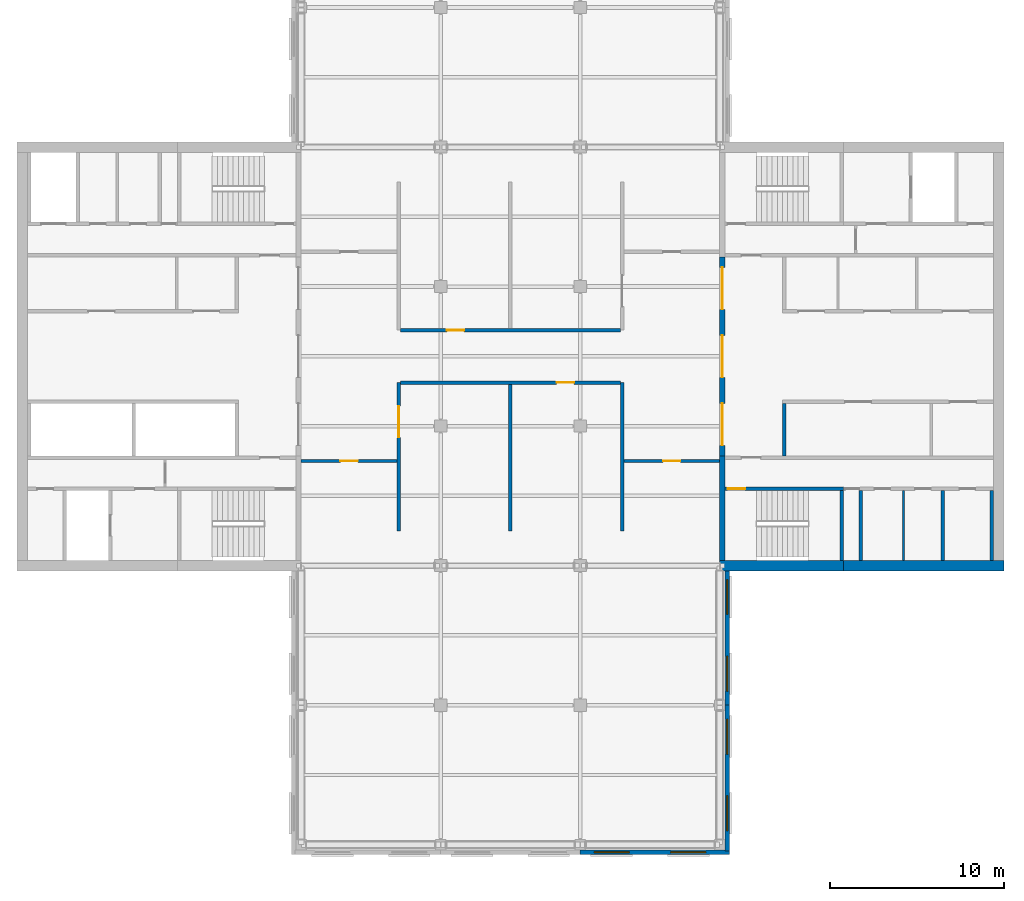
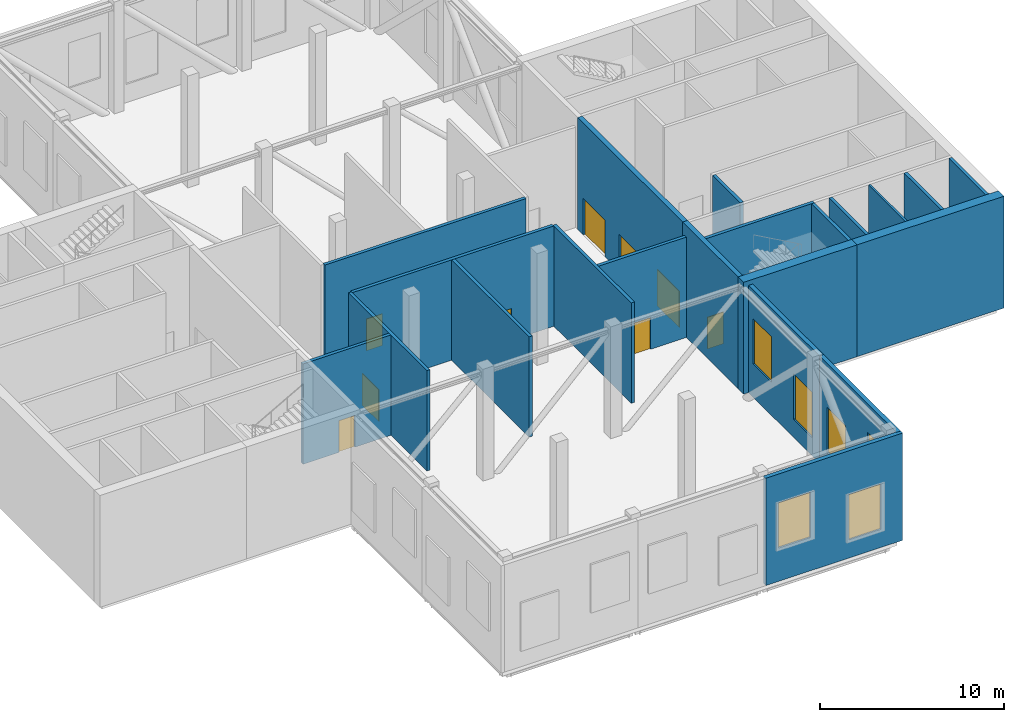
# One storey, part 4 of 10: 21 walls, 9 doors, 6 windows, 15 openings.
"""IFC4 building model written with IfcOpenShell, lengths in metres."""

from ifc_helpers import new_model, si_unit, direction, frame, frame_2d, origin, place, context, subcontext, project, spatial, rectangle, extrude, material, layer, layer_set, constituent, constituent_set, type_object, element, fill, save


model = new_model("IFC4")

# Units and contexts
model_context = context("Model", 3, precision=1e-05, world=origin(), true_north=direction((0.0, 1.0)))
body_context = subcontext(model_context, "Body", "Model", "MODEL_VIEW")
ifc_project = project(units=[si_unit("LENGTHUNIT", "METRE"), si_unit("AREAUNIT", "SQUARE_METRE"), si_unit("VOLUMEUNIT", "CUBIC_METRE"), si_unit("PLANEANGLEUNIT", "RADIAN"), si_unit("MASSUNIT", "GRAM", prefix="KILO")], contexts=[model_context])

# Site, building, storey
site_placement = place(None, origin())
site = spatial("IfcSite", under=ifc_project, at=site_placement, CompositionType="ELEMENT")
building_placement = place(site_placement, origin())
building = spatial("IfcBuilding", under=site, at=building_placement, Name="Crosswind Convention Tower", CompositionType="ELEMENT")
storey_placement = place(building_placement, frame((0.0, 0.0, 237.699951171875)))
storey = spatial("IfcBuildingStorey", under=building, at=storey_placement, Name="L51", CompositionType="ELEMENT", Elevation=237.699951171875)

# Wall
ifc_material_1 = material(Name="Concrete blockwork", Category="masonry")
ifc_layer_1 = layer(ifc_material_1, 0.199951171875)
ifc_layer_set_1 = layer_set([ifc_layer_1], Name="Blockwork partition wall 200")
wall_type_1 = type_object("IfcWallType", Name="Blockwork partition wall 200", PredefinedType="PARTITIONING", material=ifc_layer_set_1)
wall_1_placement = place(storey_placement, frame((145.10009765625, 88.300048828125, 0.0), z_axis=(0.0, 0.0, 1.0), x_axis=(0.0, 1.0, 0.0)))
element("IfcWall", 1, at=wall_1_placement, inside=storey, type_object=wall_type_1, Name="Wall MRSE E L51", PredefinedType="PARTITIONING", context=body_context, shape_type="SweptSolid", body=[
    extrude(rectangle(XDim=4.0, YDim=0.199951171875, at=frame_2d((2.0, 0.0))), origin(), (0.0, 0.0, 1.0), 7.400146484375),
])

# Wall, opening, door
ifc_layer_2 = layer(ifc_material_1, 0.199951171875)
ifc_layer_set_2 = layer_set([ifc_layer_2], Name="COMPARTMENT WALL 200 BLOCKWORK")
wall_type_2 = type_object("IfcWallType", Name="COMPARTMENT WALL 200 BLOCKWORK", PredefinedType="SOLIDWALL", material=ifc_layer_set_2)
wall_2_placement = place(storey_placement, frame((118.60009765625, 90.0, 0.0), z_axis=(0.0, 0.0, 1.0), x_axis=(0.0, 1.0, 0.0)))
wall_2 = element("IfcWall", 2, at=wall_2_placement, inside=storey, type_object=wall_type_2, Name="Compartment wall WT42", PredefinedType="SOLIDWALL", context=body_context, shape_type="SweptSolid", body=[
    extrude(rectangle(XDim=8.5, YDim=0.199951171875, at=frame_2d((4.25, 0.0))), origin(), (0.0, 0.0, 1.0), 6.642822265625),
])
opening_1_placement = place(wall_2_placement, frame((5.35009765625, 0.0, 0.0)))
opening_1 = element("IfcOpeningElement", 3, at=opening_1_placement, cuts=wall_2, Name="Opening L51-56", PredefinedType="OPENING", context=body_context, shape_type="SweptSolid", body=[
    extrude(rectangle(XDim=1.800048828125, YDim=2.10009765625, at=frame_2d((0.89990234375, 1.050048828125))), frame((0.0, 0.10986328125, 0.0), z_axis=(0.0, -1.0, 0.0), x_axis=(1.0, 0.0, 0.0)), (0.0, 0.0, 1.0), 0.219970703125),
])
ifc_material_2 = material(Name="Steel fire door", Category="steel")
door_type_1 = type_object("IfcDoorType", Name="REFUGE AREA DOUBLE DOOR 1800X2100 FD60S", OperationType="DOUBLE_DOOR_SINGLE_SWING", PredefinedType="DOOR", material=ifc_material_2)
door_1_placement = place(opening_1_placement, frame((1.800048828125, 0.0, 0.0), z_axis=(0.0, 0.0, 1.0), x_axis=(-1.0, 0.0, 0.0)))
door_1 = element("IfcDoor", 4, at=door_1_placement, inside=storey, type_object=door_type_1, Name="Door L51-56", ObjectType="D47", OperationType="DOUBLE_DOOR_SINGLE_SWING", OverallHeight=2.10009765625, OverallWidth=1.800048828125, PredefinedType="DOOR", context=body_context, shape_type="SweptSolid", body=[
    extrude(rectangle(XDim=1.800048828125, YDim=2.10009765625, at=frame_2d((0.89990234375, 1.050048828125))), frame((0.0, 0.02490234375, 0.0), z_axis=(0.0, -1.0, 0.0), x_axis=(1.0, 0.0, 0.0)), (0.0, 0.0, 1.0), 0.050048828125),
])
fill(opening_1, door_1)

# Walls
wall_3_placement = place(storey_placement, frame((125.0, 90.0, 0.0), z_axis=(0.0, 0.0, 1.0), x_axis=(0.0, 1.0, 0.0)))
element("IfcWall", 5, at=wall_3_placement, inside=storey, type_object=wall_type_2, Name="Compartment wall WT42", PredefinedType="SOLIDWALL", context=body_context, shape_type="SweptSolid", body=[
    extrude(rectangle(XDim=8.39990234375, YDim=0.199951171875, at=frame_2d((4.199951171875, 0.0))), origin(), (0.0, 0.0, 1.0), 6.642822265625),
])
wall_4_placement = place(storey_placement, frame((131.39990234375, 90.0, 0.0), z_axis=(0.0, 0.0, 1.0), x_axis=(0.0, 1.0, 0.0)))
element("IfcWall", 6, at=wall_4_placement, inside=storey, type_object=wall_type_2, Name="Compartment wall WT42", PredefinedType="SOLIDWALL", context=body_context, shape_type="SweptSolid", body=[
    extrude(rectangle(XDim=8.5, YDim=0.199951171875, at=frame_2d((4.25, 0.0))), origin(), (0.0, 0.0, 1.0), 6.642822265625),
])

# Wall, opening, door
wall_5_placement = place(storey_placement, frame((113.0, 94.0, 0.0), z_axis=(0.0, 0.0, 1.0), x_axis=(1.0, 0.0, 0.0)))
wall_5 = element("IfcWall", 7, at=wall_5_placement, inside=storey, type_object=wall_type_2, Name="Compartment wall WT42", PredefinedType="SOLIDWALL", context=body_context, shape_type="SweptSolid", body=[
    extrude(rectangle(XDim=5.5, YDim=0.199951171875, at=frame_2d((2.75, 0.0))), origin(), (0.0, 0.0, 1.0), 6.642822265625),
])
opening_2_placement = place(wall_5_placement, frame((2.25, 0.0, 0.0)))
opening_2 = element("IfcOpeningElement", 8, at=opening_2_placement, cuts=wall_5, Name="Opening L51-52", PredefinedType="OPENING", context=body_context, shape_type="SweptSolid", body=[
    extrude(rectangle(XDim=1.0, YDim=2.10009765625, at=frame_2d((0.5, 1.050048828125))), frame((0.0, 0.10986328125, 0.0), z_axis=(0.0, -1.0, 0.0), x_axis=(1.0, 0.0, 0.0)), (0.0, 0.0, 1.0), 0.219970703125),
])
door_type_2 = type_object("IfcDoorType", Name="PLANT ROOM DOOR 1000X2100 FD60", OperationType="NOTDEFINED", PredefinedType="DOOR", material=ifc_material_2)
door_2_placement = place(opening_2_placement, frame((1.0, 0.0, 0.0), z_axis=(0.0, 0.0, 1.0), x_axis=(-1.0, 0.0, 0.0)))
door_2 = element("IfcDoor", 9, at=door_2_placement, inside=storey, type_object=door_type_2, Name="Door L51-52", ObjectType="D43", OperationType="SINGLE_SWING_LEFT", OverallHeight=2.10009765625, OverallWidth=1.0, PredefinedType="DOOR", context=body_context, shape_type="SweptSolid", body=[
    extrude(rectangle(XDim=1.0, YDim=2.10009765625, at=frame_2d((0.5, 1.050048828125))), frame((0.0, 0.02490234375, 0.0), z_axis=(0.0, -1.0, 0.0), x_axis=(1.0, 0.0, 0.0)), (0.0, 0.0, 1.0), 0.050048828125),
])
fill(opening_2, door_2)

wall_6_placement = place(storey_placement, frame((131.5, 94.0, 0.0), z_axis=(0.0, 0.0, 1.0), x_axis=(1.0, 0.0, 0.0)))
wall_6 = element("IfcWall", 10, at=wall_6_placement, inside=storey, type_object=wall_type_2, Name="Compartment wall WT42", PredefinedType="SOLIDWALL", context=body_context, shape_type="SweptSolid", body=[
    extrude(rectangle(XDim=5.5, YDim=0.199951171875, at=frame_2d((2.75, 0.0))), origin(), (0.0, 0.0, 1.0), 6.642822265625),
])
opening_3_placement = place(wall_6_placement, frame((2.25, 0.0, 0.0)))
opening_3 = element("IfcOpeningElement", 11, at=opening_3_placement, cuts=wall_6, Name="Opening L51-53", PredefinedType="OPENING", context=body_context, shape_type="SweptSolid", body=[
    extrude(rectangle(XDim=1.0, YDim=2.10009765625, at=frame_2d((0.5, 1.050048828125))), frame((0.0, 0.10986328125, 0.0), z_axis=(0.0, -1.0, 0.0), x_axis=(1.0, 0.0, 0.0)), (0.0, 0.0, 1.0), 0.219970703125),
])
door_3_placement = place(opening_3_placement, frame((1.0, 0.0, 0.0), z_axis=(0.0, 0.0, 1.0), x_axis=(-1.0, 0.0, 0.0)))
door_3 = element("IfcDoor", 12, at=door_3_placement, inside=storey, type_object=door_type_2, Name="Door L51-53", ObjectType="D43", OperationType="SINGLE_SWING_LEFT", OverallHeight=2.10009765625, OverallWidth=1.0, PredefinedType="DOOR", context=body_context, shape_type="SweptSolid", body=[
    extrude(rectangle(XDim=1.0, YDim=2.10009765625, at=frame_2d((0.5, 1.050048828125))), frame((0.0, 0.02490234375, 0.0), z_axis=(0.0, -1.0, 0.0), x_axis=(1.0, 0.0, 0.0)), (0.0, 0.0, 1.0), 0.050048828125),
])
fill(opening_3, door_3)

wall_7_placement = place(storey_placement, frame((118.699951171875, 98.5, 0.0), z_axis=(0.0, 0.0, 1.0), x_axis=(1.0, 0.0, 0.0)))
wall_7 = element("IfcWall", 13, at=wall_7_placement, inside=storey, type_object=wall_type_2, Name="Compartment wall WT42", PredefinedType="SOLIDWALL", context=body_context, shape_type="SweptSolid", body=[
    extrude(rectangle(XDim=12.60009765625, YDim=0.199951171875, at=frame_2d((6.300048828125, 0.0))), origin(), (0.0, 0.0, 1.0), 6.642822265625),
])
opening_4_placement = place(wall_7_placement, frame((8.949951171875, 0.0, 0.0)))
opening_4 = element("IfcOpeningElement", 14, at=opening_4_placement, cuts=wall_7, Name="Opening L51-57", PredefinedType="OPENING", context=body_context, shape_type="SweptSolid", body=[
    extrude(rectangle(XDim=1.0, YDim=2.10009765625, at=frame_2d((0.5, 1.050048828125))), frame((0.0, 0.10986328125, 0.0), z_axis=(0.0, -1.0, 0.0), x_axis=(1.0, 0.0, 0.0)), (0.0, 0.0, 1.0), 0.219970703125),
])
door_4_placement = place(opening_4_placement, frame((1.0, 0.0, 0.0), z_axis=(0.0, 0.0, 1.0), x_axis=(-1.0, 0.0, 0.0)))
door_4 = element("IfcDoor", 15, at=door_4_placement, inside=storey, type_object=door_type_2, Name="Door L51-57", ObjectType="D43", OperationType="SINGLE_SWING_RIGHT", OverallHeight=2.10009765625, OverallWidth=1.0, PredefinedType="DOOR", context=body_context, shape_type="SweptSolid", body=[
    extrude(rectangle(XDim=1.0, YDim=2.10009765625, at=frame_2d((0.5, 1.050048828125))), frame((0.0, 0.02490234375, 0.0), z_axis=(0.0, -1.0, 0.0), x_axis=(1.0, 0.0, 0.0)), (0.0, 0.0, 1.0), 0.050048828125),
])
fill(opening_4, door_4)

wall_8_placement = place(storey_placement, frame((118.699951171875, 101.5, 0.0), z_axis=(0.0, 0.0, 1.0), x_axis=(1.0, 0.0, 0.0)))
wall_8 = element("IfcWall", 16, at=wall_8_placement, inside=storey, type_object=wall_type_2, Name="Compartment wall WT42", PredefinedType="SOLIDWALL", context=body_context, shape_type="SweptSolid", body=[
    extrude(rectangle(XDim=12.60009765625, YDim=0.199951171875, at=frame_2d((6.300048828125, 0.0))), origin(), (0.0, 0.0, 1.0), 6.642822265625),
])
opening_5_placement = place(wall_8_placement, frame((2.64990234375, 0.0, 0.0)))
opening_5 = element("IfcOpeningElement", 17, at=opening_5_placement, cuts=wall_8, Name="Opening L51-54", PredefinedType="OPENING", context=body_context, shape_type="SweptSolid", body=[
    extrude(rectangle(XDim=1.0, YDim=2.10009765625, at=frame_2d((0.5, 1.050048828125))), frame((0.0, 0.10986328125, 0.0), z_axis=(0.0, -1.0, 0.0), x_axis=(1.0, 0.0, 0.0)), (0.0, 0.0, 1.0), 0.219970703125),
])
door_5_placement = place(opening_5_placement, origin())
door_5 = element("IfcDoor", 18, at=door_5_placement, inside=storey, type_object=door_type_2, Name="Door L51-54", ObjectType="D43", OperationType="SINGLE_SWING_RIGHT", OverallHeight=2.10009765625, OverallWidth=1.0, PredefinedType="DOOR", context=body_context, shape_type="SweptSolid", body=[
    extrude(rectangle(XDim=1.0, YDim=2.10009765625, at=frame_2d((0.5, 1.050048828125))), frame((0.0, 0.02490234375, 0.0), z_axis=(0.0, -1.0, 0.0), x_axis=(1.0, 0.0, 0.0)), (0.0, 0.0, 1.0), 0.050048828125),
])
fill(opening_5, door_5)

# Wall, openings, doors
ifc_material_3 = material(Name="Concrete C50/60", Category="concrete")
ifc_layer_3 = layer(ifc_material_3, 0.300048828125)
ifc_layer_set_3 = layer_set([ifc_layer_3], Name="Concrete C50/60")
wall_type_3 = type_object("IfcWallType", Name="Concrete inner core wall 300", PredefinedType="SHEAR", material=ifc_layer_set_3)
wall_9_placement = place(storey_placement, frame((137.14990234375, 94.300048828125, 0.0), z_axis=(0.0, 0.0, 1.0), x_axis=(0.0, 1.0, 0.0)))
wall_9 = element("IfcWall", 19, at=wall_9_placement, inside=storey, type_object=wall_type_3, Name="Wall SCR E L51", PredefinedType="SHEAR", context=body_context, shape_type="SweptSolid", body=[
    extrude(rectangle(XDim=11.39990234375, YDim=0.300048828125, at=frame_2d((5.699951171875, 0.0))), origin(), (0.0, 0.0, 1.0), 7.400146484375),
])
opening_6_placement = place(wall_9_placement, frame((0.60009765625, 0.0, 0.0)))
opening_6 = element("IfcOpeningElement", 20, at=opening_6_placement, cuts=wall_9, Name="Opening D100", PredefinedType="OPENING", context=body_context, shape_type="SweptSolid", body=[
    extrude(rectangle(XDim=2.39990234375, YDim=2.39990234375, at=frame_2d((1.199951171875, 1.199951171875))), frame((0.0, 0.159912109375, 0.0), z_axis=(0.0, -1.0, 0.0), x_axis=(1.0, 0.0, 0.0)), (0.0, 0.0, 1.0), 0.320068359375),
])
opening_7_placement = place(wall_9_placement, frame((4.5, 0.0, 0.0)))
opening_7 = element("IfcOpeningElement", 21, at=opening_7_placement, cuts=wall_9, Name="Opening D100", PredefinedType="OPENING", context=body_context, shape_type="SweptSolid", body=[
    extrude(rectangle(XDim=2.39990234375, YDim=2.39990234375, at=frame_2d((1.199951171875, 1.199951171875))), frame((0.0, 0.159912109375, 0.0), z_axis=(0.0, -1.0, 0.0), x_axis=(1.0, 0.0, 0.0)), (0.0, 0.0, 1.0), 0.320068359375),
])
opening_8_placement = place(wall_9_placement, frame((8.39990234375, 0.0, 0.0)))
opening_8 = element("IfcOpeningElement", 22, at=opening_8_placement, cuts=wall_9, Name="Opening D100", PredefinedType="OPENING", context=body_context, shape_type="SweptSolid", body=[
    extrude(rectangle(XDim=2.39990234375, YDim=2.39990234375, at=frame_2d((1.199951171875, 1.199951171875))), frame((0.0, 0.159912109375, 0.0), z_axis=(0.0, -1.0, 0.0), x_axis=(1.0, 0.0, 0.0)), (0.0, 0.0, 1.0), 0.320068359375),
])
ifc_material_4 = material(Name="Steel fire door with glazed vision panels", Category="steel")
door_type_3 = type_object("IfcDoorType", Name="Fire-rated double door 2400x2400", OperationType="DOUBLE_DOOR_SINGLE_SWING", PredefinedType="DOOR", material=ifc_material_4)
door_6_placement = place(opening_6_placement, origin())
door_6 = element("IfcDoor", 23, at=door_6_placement, inside=storey, type_object=door_type_3, Name="Lobby door 1 L51", ObjectType="D100", OperationType="DOUBLE_DOOR_SINGLE_SWING", OverallHeight=2.39990234375, OverallWidth=2.39990234375, PredefinedType="DOOR", context=body_context, shape_type="SweptSolid", body=[
    extrude(rectangle(XDim=2.39990234375, YDim=2.39990234375, at=frame_2d((1.199951171875, 1.199951171875))), frame((0.0, 0.02490234375, 0.0), z_axis=(0.0, -1.0, 0.0), x_axis=(1.0, 0.0, 0.0)), (0.0, 0.0, 1.0), 0.050048828125),
])
fill(opening_6, door_6)
door_7_placement = place(opening_7_placement, origin())
door_7 = element("IfcDoor", 24, at=door_7_placement, inside=storey, type_object=door_type_3, Name="Lobby door 2 L51", ObjectType="D100", OperationType="DOUBLE_DOOR_SINGLE_SWING", OverallHeight=2.39990234375, OverallWidth=2.39990234375, PredefinedType="DOOR", context=body_context, shape_type="SweptSolid", body=[
    extrude(rectangle(XDim=2.39990234375, YDim=2.39990234375, at=frame_2d((1.199951171875, 1.199951171875))), frame((0.0, 0.02490234375, 0.0), z_axis=(0.0, -1.0, 0.0), x_axis=(1.0, 0.0, 0.0)), (0.0, 0.0, 1.0), 0.050048828125),
])
fill(opening_7, door_7)
door_8_placement = place(opening_8_placement, origin())
door_8 = element("IfcDoor", 25, at=door_8_placement, inside=storey, type_object=door_type_3, Name="Lobby door 3 L51", ObjectType="D100", OperationType="DOUBLE_DOOR_SINGLE_SWING", OverallHeight=2.39990234375, OverallWidth=2.39990234375, PredefinedType="DOOR", context=body_context, shape_type="SweptSolid", body=[
    extrude(rectangle(XDim=2.39990234375, YDim=2.39990234375, at=frame_2d((1.199951171875, 1.199951171875))), frame((0.0, 0.02490234375, 0.0), z_axis=(0.0, -1.0, 0.0), x_axis=(1.0, 0.0, 0.0)), (0.0, 0.0, 1.0), 0.050048828125),
])
fill(opening_8, door_8)

# Walls
wall_10_placement = place(storey_placement, frame((137.14990234375, 88.300048828125, 0.0), z_axis=(0.0, 0.0, 1.0), x_axis=(0.0, 1.0, 0.0)))
element("IfcWall", 26, at=wall_10_placement, inside=storey, type_object=wall_type_3, Name="Wall EM E L51", PredefinedType="SHEAR", context=body_context, shape_type="SweptSolid", body=[
    extrude(rectangle(XDim=6.0, YDim=0.300048828125, at=frame_2d((3.0, 0.0))), origin(), (0.0, 0.0, 1.0), 7.400146484375),
])
ifc_layer_4 = layer(ifc_material_3, 0.199951171875)
ifc_layer_set_4 = layer_set([ifc_layer_4], Name="Concrete C50/60")
wall_type_4 = type_object("IfcWallType", Name="Concrete shaft and stair wall 200", PredefinedType="SHEAR", material=ifc_layer_set_4)
wall_11_placement = place(storey_placement, frame((140.699951171875, 94.300048828125, 0.0), z_axis=(0.0, 0.0, 1.0), x_axis=(0.0, 1.0, 0.0)))
element("IfcWall", 27, at=wall_11_placement, inside=storey, type_object=wall_type_4, Name="Wall RMEND E L51", PredefinedType="SHEAR", context=body_context, shape_type="SweptSolid", body=[
    extrude(rectangle(XDim=3.0, YDim=0.199951171875, at=frame_2d((1.5, 0.0))), origin(), (0.0, 0.0, 1.0), 7.400146484375),
])
for number, where, z_axis, x_axis, name in (
    (28, (144.0, 88.300048828125, 0.0), (0.0, 0.0, 1.0), (0.0, 1.0, 0.0), "Wall MSE E L51"),
    (29, (149.800048828125, 88.300048828125, 0.0), (0.0, 0.0, 1.0), (0.0, 1.0, 0.0), "Wall MFSW E L51"),
    (30, (152.60009765625, 88.300048828125, 0.0), (0.0, 0.0, 1.0), (0.0, 1.0, 0.0), "Wall MFSE E L51"),
):
    element("IfcWall", number, at=place(storey_placement, frame(where, z_axis=z_axis, x_axis=x_axis)), inside=storey, type_object=wall_type_4, Name=name, PredefinedType="SHEAR", context=body_context, shape_type="SweptSolid", body=[
        extrude(rectangle(XDim=4.0, YDim=0.199951171875, at=frame_2d((2.0, 0.0))), origin(), (0.0, 0.0, 1.0), 7.400146484375),
    ])

# Wall, opening, door
wall_12_placement = place(storey_placement, frame((137.300048828125, 92.39990234375, 0.0), z_axis=(0.0, 0.0, 1.0), x_axis=(1.0, 0.0, 0.0)))
wall_12 = element("IfcWall", 31, at=wall_12_placement, inside=storey, type_object=wall_type_4, Name="Wall MCW E L51", PredefinedType="SHEAR", context=body_context, shape_type="SweptSolid", body=[
    extrude(rectangle(XDim=6.800048828125, YDim=0.199951171875, at=frame_2d((3.39990234375, 0.0))), origin(), (0.0, 0.0, 1.0), 7.400146484375),
])
opening_9_placement = place(wall_12_placement, frame((0.14990234375, 0.0, 0.0)))
opening_9 = element("IfcOpeningElement", 32, at=opening_9_placement, cuts=wall_12, Name="Opening D103", PredefinedType="OPENING", context=body_context, shape_type="SweptSolid", body=[
    extrude(rectangle(XDim=1.0, YDim=2.10009765625, at=frame_2d((0.5, 1.050048828125))), frame((0.0, 0.10986328125, 0.0), z_axis=(0.0, -1.0, 0.0), x_axis=(1.0, 0.0, 0.0)), (0.0, 0.0, 1.0), 0.219970703125),
])
door_type_4 = type_object("IfcDoorType", Name="Fire-rated single door 1000x2100", OperationType="NOTDEFINED", PredefinedType="DOOR", material=ifc_material_2)
door_9_placement = place(opening_9_placement, frame((1.0, 0.0, 0.0), z_axis=(0.0, 0.0, 1.0), x_axis=(-1.0, 0.0, 0.0)))
door_9 = element("IfcDoor", 33, at=door_9_placement, inside=storey, type_object=door_type_4, Name="Stair ST2 door L51", ObjectType="D103", OperationType="SINGLE_SWING_RIGHT", OverallHeight=2.10009765625, OverallWidth=1.0, PredefinedType="DOOR", context=body_context, shape_type="SweptSolid", body=[
    extrude(rectangle(XDim=1.0, YDim=2.10009765625, at=frame_2d((0.5, 1.050048828125))), frame((0.0, 0.02490234375, 0.0), z_axis=(0.0, -1.0, 0.0), x_axis=(1.0, 0.0, 0.0)), (0.0, 0.0, 1.0), 0.050048828125),
])
fill(opening_9, door_9)

# Wall
ifc_material_5 = material(Name="Gypsum plasterboard partition", Category="gypsum")
ifc_layer_5 = layer(ifc_material_5, 0.125)
ifc_layer_set_5 = layer_set([ifc_layer_5], Name="Drywall partition wall 125")
wall_type_5 = type_object("IfcWallType", Name="Drywall partition wall 125", PredefinedType="PARTITIONING", material=ifc_layer_set_5)
wall_13_placement = place(storey_placement, frame((147.5400390625, 88.300048828125, 0.0), z_axis=(0.0, 0.0, 1.0), x_axis=(0.0, 1.0, 0.0)))
element("IfcWall", 34, at=wall_13_placement, inside=storey, type_object=wall_type_5, Name="Wall MWP1 E L51", PredefinedType="PARTITIONING", context=body_context, shape_type="SweptSolid", body=[
    extrude(rectangle(XDim=4.0, YDim=0.125, at=frame_2d((2.0, 0.0))), origin(), (0.0, 0.0, 1.0), 7.400146484375),
])

# Wall, openings, windows
ifc_material_6 = material(Name="Terracotta rainscreen", Category="ceramic")
ifc_layer_6 = layer(ifc_material_6, 0.02001953125)
ifc_material_7 = material(Name="Mineral wool insulation", Category="insulation")
ifc_layer_7 = layer(ifc_material_7, 0.10009765625)
ifc_material_8 = material(Name="Steel S355", Category="steel")
ifc_layer_8 = layer(ifc_material_8, 0.139892578125)
ifc_layer_set_6 = layer_set([ifc_layer_6, ifc_layer_7, ifc_layer_8], Name="Terracotta rainscreen, Mineral wool insulation, Steel S355")
wall_type_6 = type_object("IfcWallType", Name="TERRACOTTA PLANT WALL 260", PredefinedType="SOLIDWALL", material=ifc_layer_set_6)
wall_14_placement = place(storey_placement, frame((129.0, 71.56494140625, 0.0), z_axis=(0.0, 0.0, 1.0), x_axis=(1.0, 0.0, 0.0)))
wall_14 = element("IfcWall", 35, at=wall_14_placement, inside=storey, type_object=wall_type_6, Name="Plant room wall L51 S-TIP.1-3", PredefinedType="SOLIDWALL", context=body_context, shape_type="SweptSolid", body=[
    extrude(rectangle(XDim=8.56494140625, YDim=0.260009765625, at=frame_2d((4.282470703125, 0.0))), origin(), (0.0, 0.0, 1.0), 7.10009765625),
])
opening_10_placement = place(wall_14_placement, frame((0.800048828125, 0.0, 2.199951171875)))
opening_10 = element("IfcOpeningElement", 36, at=opening_10_placement, cuts=wall_14, Name="Opening W11", PredefinedType="OPENING", context=body_context, shape_type="SweptSolid", body=[
    extrude(rectangle(XDim=2.0, YDim=3.0, at=frame_2d((1.0, 1.5))), frame((0.0, 0.139892578125, 0.0), z_axis=(0.0, -1.0, 0.0), x_axis=(1.0, 0.0, 0.0)), (0.0, 0.0, 1.0), 0.280029296875),
])
opening_11_placement = place(wall_14_placement, frame((5.199951171875, 0.0, 1.199951171875)))
opening_11 = element("IfcOpeningElement", 37, at=opening_11_placement, cuts=wall_14, Name="Opening W11", PredefinedType="OPENING", context=body_context, shape_type="SweptSolid", body=[
    extrude(rectangle(XDim=2.0, YDim=3.0, at=frame_2d((1.0, 1.5))), frame((0.0, 0.139892578125, 0.0), z_axis=(0.0, -1.0, 0.0), x_axis=(1.0, 0.0, 0.0)), (0.0, 0.0, 1.0), 0.280029296875),
])
ifc_material_9 = material(Name="Aluminium louvre", Category="aluminium")
window_type = type_object("IfcWindowType", Name="LOUVRE VENT 2000X3000", PartitioningType="SINGLE_PANEL", PredefinedType="WINDOW", material=ifc_material_9)
window_1_placement = place(opening_10_placement, origin())
window_1 = element("IfcWindow", 38, at=window_1_placement, inside=storey, type_object=window_type, Name="W11 louvre vent L51 S-TIP.1-3.1", ObjectType="W11", OverallHeight=3.0, OverallWidth=2.0, PartitioningType="SINGLE_PANEL", PredefinedType="WINDOW", context=body_context, shape_type="SweptSolid", body=[
    extrude(rectangle(XDim=2.0, YDim=3.0, at=frame_2d((1.0, 1.5))), frame((0.0, 0.030029296875, 0.0), z_axis=(0.0, -1.0, 0.0), x_axis=(1.0, 0.0, 0.0)), (0.0, 0.0, 1.0), 0.06005859375),
])
fill(opening_10, window_1)
window_2_placement = place(opening_11_placement, origin())
window_2 = element("IfcWindow", 39, at=window_2_placement, inside=storey, type_object=window_type, Name="W11 louvre vent L51 S-TIP.1-3.2", ObjectType="W11", OverallHeight=3.0, OverallWidth=2.0, PartitioningType="SINGLE_PANEL", PredefinedType="WINDOW", context=body_context, shape_type="SweptSolid", body=[
    extrude(rectangle(XDim=2.0, YDim=3.0, at=frame_2d((1.0, 1.5))), frame((0.0, 0.030029296875, 0.0), z_axis=(0.0, -1.0, 0.0), x_axis=(1.0, 0.0, 0.0)), (0.0, 0.0, 1.0), 0.06005859375),
])
fill(opening_11, window_2)

wall_15_placement = place(storey_placement, frame((137.43505859375, 71.64990234375, 0.0), z_axis=(0.0, 0.0, 1.0), x_axis=(0.0, 1.0, 0.0)))
wall_15 = element("IfcWall", 40, at=wall_15_placement, inside=storey, type_object=wall_type_6, Name="Plant room wall L51 S-E.1-1", PredefinedType="SOLIDWALL", context=body_context, shape_type="SweptSolid", body=[
    extrude(rectangle(XDim=8.35009765625, YDim=0.260009765625, at=frame_2d((4.175048828125, 0.0))), origin(), (0.0, 0.0, 1.0), 7.10009765625),
])
opening_12_placement = place(wall_15_placement, frame((1.14990234375, 0.0, 2.199951171875)))
opening_12 = element("IfcOpeningElement", 41, at=opening_12_placement, cuts=wall_15, Name="Opening W11", PredefinedType="OPENING", context=body_context, shape_type="SweptSolid", body=[
    extrude(rectangle(XDim=2.0, YDim=3.0, at=frame_2d((1.0, 1.5))), frame((0.0, 0.139892578125, 0.0), z_axis=(0.0, -1.0, 0.0), x_axis=(1.0, 0.0, 0.0)), (0.0, 0.0, 1.0), 0.280029296875),
])
opening_13_placement = place(wall_15_placement, frame((5.550048828125, 0.0, 1.199951171875)))
opening_13 = element("IfcOpeningElement", 42, at=opening_13_placement, cuts=wall_15, Name="Opening W11", PredefinedType="OPENING", context=body_context, shape_type="SweptSolid", body=[
    extrude(rectangle(XDim=2.0, YDim=3.0, at=frame_2d((1.0, 1.5))), frame((0.0, 0.139892578125, 0.0), z_axis=(0.0, -1.0, 0.0), x_axis=(1.0, 0.0, 0.0)), (0.0, 0.0, 1.0), 0.280029296875),
])
window_3_placement = place(opening_12_placement, origin())
window_3 = element("IfcWindow", 43, at=window_3_placement, inside=storey, type_object=window_type, Name="W11 louvre vent L51 S-E.1-1.1", ObjectType="W11", OverallHeight=3.0, OverallWidth=2.0, PartitioningType="SINGLE_PANEL", PredefinedType="WINDOW", context=body_context, shape_type="SweptSolid", body=[
    extrude(rectangle(XDim=2.0, YDim=3.0, at=frame_2d((1.0, 1.5))), frame((0.0, 0.030029296875, 0.0), z_axis=(0.0, -1.0, 0.0), x_axis=(1.0, 0.0, 0.0)), (0.0, 0.0, 1.0), 0.06005859375),
])
fill(opening_12, window_3)
window_4_placement = place(opening_13_placement, origin())
window_4 = element("IfcWindow", 44, at=window_4_placement, inside=storey, type_object=window_type, Name="W11 louvre vent L51 S-E.1-1.2", ObjectType="W11", OverallHeight=3.0, OverallWidth=2.0, PartitioningType="SINGLE_PANEL", PredefinedType="WINDOW", context=body_context, shape_type="SweptSolid", body=[
    extrude(rectangle(XDim=2.0, YDim=3.0, at=frame_2d((1.0, 1.5))), frame((0.0, 0.030029296875, 0.0), z_axis=(0.0, -1.0, 0.0), x_axis=(1.0, 0.0, 0.0)), (0.0, 0.0, 1.0), 0.06005859375),
])
fill(opening_13, window_4)

wall_16_placement = place(storey_placement, frame((137.43505859375, 80.0, 0.0), z_axis=(0.0, 0.0, 1.0), x_axis=(0.0, 1.0, 0.0)))
wall_16 = element("IfcWall", 45, at=wall_16_placement, inside=storey, type_object=wall_type_6, Name="Plant room wall L51 S-E.1-2", PredefinedType="SOLIDWALL", context=body_context, shape_type="SweptSolid", body=[
    extrude(rectangle(XDim=7.699951171875, YDim=0.260009765625, at=frame_2d((3.85009765625, 0.0))), origin(), (0.0, 0.0, 1.0), 7.10009765625),
])
opening_14_placement = place(wall_16_placement, frame((0.800048828125, 0.0, 1.199951171875)))
opening_14 = element("IfcOpeningElement", 46, at=opening_14_placement, cuts=wall_16, Name="Opening W11", PredefinedType="OPENING", context=body_context, shape_type="SweptSolid", body=[
    extrude(rectangle(XDim=2.0, YDim=3.0, at=frame_2d((1.0, 1.5))), frame((0.0, 0.139892578125, 0.0), z_axis=(0.0, -1.0, 0.0), x_axis=(1.0, 0.0, 0.0)), (0.0, 0.0, 1.0), 0.280029296875),
])
opening_15_placement = place(wall_16_placement, frame((5.199951171875, 0.0, 2.199951171875)))
opening_15 = element("IfcOpeningElement", 47, at=opening_15_placement, cuts=wall_16, Name="Opening W11", PredefinedType="OPENING", context=body_context, shape_type="SweptSolid", body=[
    extrude(rectangle(XDim=2.0, YDim=3.0, at=frame_2d((1.0, 1.5))), frame((0.0, 0.139892578125, 0.0), z_axis=(0.0, -1.0, 0.0), x_axis=(1.0, 0.0, 0.0)), (0.0, 0.0, 1.0), 0.280029296875),
])
window_5_placement = place(opening_14_placement, origin())
window_5 = element("IfcWindow", 48, at=window_5_placement, inside=storey, type_object=window_type, Name="W11 louvre vent L51 S-E.1-2.1", ObjectType="W11", OverallHeight=3.0, OverallWidth=2.0, PartitioningType="SINGLE_PANEL", PredefinedType="WINDOW", context=body_context, shape_type="SweptSolid", body=[
    extrude(rectangle(XDim=2.0, YDim=3.0, at=frame_2d((1.0, 1.5))), frame((0.0, 0.030029296875, 0.0), z_axis=(0.0, -1.0, 0.0), x_axis=(1.0, 0.0, 0.0)), (0.0, 0.0, 1.0), 0.06005859375),
])
fill(opening_14, window_5)
window_6_placement = place(opening_15_placement, origin())
window_6 = element("IfcWindow", 49, at=window_6_placement, inside=storey, type_object=window_type, Name="W11 louvre vent L51 S-E.1-2.2", ObjectType="W11", OverallHeight=3.0, OverallWidth=2.0, PartitioningType="SINGLE_PANEL", PredefinedType="WINDOW", context=body_context, shape_type="SweptSolid", body=[
    extrude(rectangle(XDim=2.0, YDim=3.0, at=frame_2d((1.0, 1.5))), frame((0.0, 0.030029296875, 0.0), z_axis=(0.0, -1.0, 0.0), x_axis=(1.0, 0.0, 0.0)), (0.0, 0.0, 1.0), 0.06005859375),
])
fill(opening_15, window_6)

# Walls
ifc_material_10 = material(Name="Concrete C60/75", Category="concrete")
ifc_constituent_1 = constituent(ifc_material_10, Name="Structure")
ifc_constituent_2 = constituent(ifc_material_6, Name="Facing")
ifc_constituent_set = constituent_set(constituents=[ifc_constituent_1, ifc_constituent_2], Name="Concrete C60/75, Terracotta rainscreen")
wall_type_7 = type_object("IfcWallType", Name="Terracotta rainscreen on concrete core wall 600", PredefinedType="SHEAR", material=ifc_constituent_set)
wall_17_placement = place(storey_placement, frame((137.0, 88.0, 0.0), z_axis=(0.0, 0.0, 1.0), x_axis=(1.0, 0.0, 0.0)))
element("IfcWall", 50, at=wall_17_placement, inside=storey, type_object=wall_type_7, Name="Wall S1 E L51", PredefinedType="SHEAR", context=body_context, shape_type="SweptSolid", body=[
    extrude(rectangle(XDim=7.10009765625, YDim=0.60009765625, at=frame_2d((3.550048828125, 0.0))), origin(), (0.0, 0.0, 1.0), 7.400146484375),
])
wall_18_placement = place(storey_placement, frame((144.10009765625, 88.0, 0.0), z_axis=(0.0, 0.0, 1.0), x_axis=(1.0, 0.0, 0.0)))
element("IfcWall", 51, at=wall_18_placement, inside=storey, type_object=wall_type_7, Name="Wall S2 E L51", PredefinedType="SHEAR", context=body_context, shape_type="SweptSolid", body=[
    extrude(rectangle(XDim=9.199951171875, YDim=0.60009765625, at=frame_2d((4.60009765625, 0.0))), origin(), (0.0, 0.0, 1.0), 7.400146484375),
])

save(model, "model.ifc")
